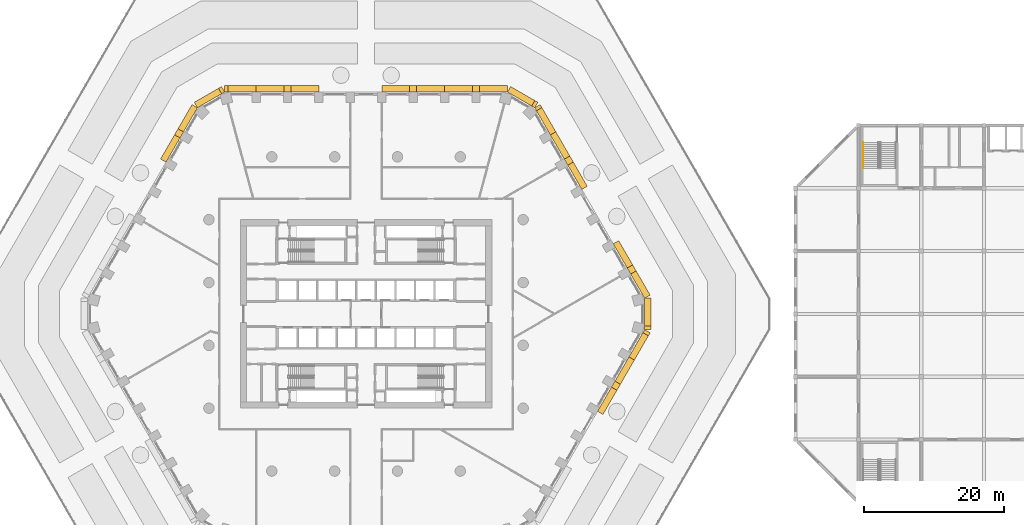
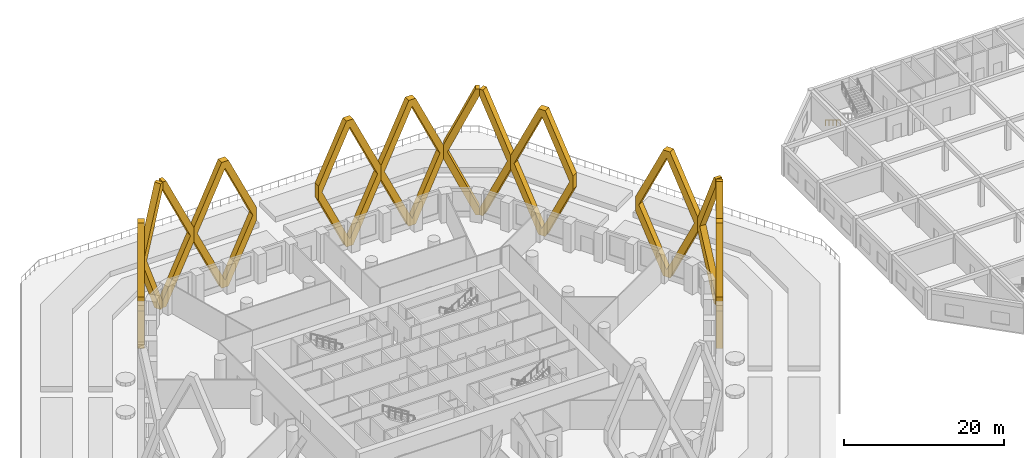
# One storey, part 24 of 27: 13 coverings, 1 railing.
"""IFC4 building model written with IfcOpenShell, lengths in metres."""

from ifc_helpers import new_model, si_unit, direction, frame, origin, origin_2d, place, context, subcontext, project, spatial, polyline, circle, outline, extrude, material, type_object, element, save


model = new_model("IFC4")

# Units and contexts
model_context = context("Model", 3, precision=1e-05, world=origin(), true_north=direction((0.0, 1.0)))
body_context = subcontext(model_context, "Body", "Model", "MODEL_VIEW")
ifc_project = project(units=[si_unit("LENGTHUNIT", "METRE"), si_unit("AREAUNIT", "SQUARE_METRE"), si_unit("VOLUMEUNIT", "CUBIC_METRE"), si_unit("PLANEANGLEUNIT", "RADIAN"), si_unit("MASSUNIT", "GRAM", prefix="KILO")], contexts=[model_context])

# Site, building, storey
site_placement = place(None, origin())
site = spatial("IfcSite", under=ifc_project, at=site_placement, CompositionType="ELEMENT")
building_placement = place(site_placement, origin())
building = spatial("IfcBuilding", under=site, at=building_placement, Name="Dhurran Vertical Campus", CompositionType="ELEMENT")
storey_placement = place(building_placement, frame((0.0, 0.0, 10.800048828125)))
storey = spatial("IfcBuildingStorey", under=building, at=storey_placement, Name="L02", CompositionType="ELEMENT", Elevation=10.800048828125)

# Coverings
ifc_material_1 = material(Name="Precast concrete C50/60", Category="concrete")
covering_type = type_object("IfcCoveringType", Name="Folded precast fin lattice diamond", PredefinedType="USERDEFINED", material=ifc_material_1)
covering_1_placement = place(storey_placement, frame((33.147216796875, -13.94140625, 0.0), z_axis=(0.866013897511, -0.50001992892, 0.0), x_axis=(0.50001992892, 0.866013897511, 0.0)))
element("IfcCovering", 1, at=covering_1_placement, inside=storey, type_object=covering_type, Name="FN1 L02.007", ObjectType="FIN", PredefinedType="USERDEFINED", context=body_context, shape_type="SweptSolid", body=[
    extrude(outline(polyline([(9.0, 10.66015625), (9.0, 8.539794921875), (4.9970703125, 0.0), (4.0029296875, 0.0), (0.0, 8.539794921875), (0.0, 10.66015625), (4.0029296875, 19.199951171875), (4.9970703125, 19.199951171875), (9.0, 10.66015625)]), holes=[polyline([(8.5029296875, 9.60009765625), (4.5, 18.139892578125), (0.4970703125, 9.60009765625), (4.5, 1.060302734375), (8.5029296875, 9.60009765625)])]), origin(), (0.0, 0.0, 1.0), 0.89990234375),
])
covering_2_placement = place(storey_placement, frame((37.647216796875, -6.147216796875, 0.0), z_axis=(0.866013897511, -0.50001992892, 0.0), x_axis=(0.50001992892, 0.866013897511, 0.0)))
element("IfcCovering", 2, at=covering_2_placement, inside=storey, type_object=covering_type, Name="FN1 L02.008", ObjectType="FIN", PredefinedType="USERDEFINED", context=body_context, shape_type="SweptSolid", body=[
    extrude(outline(polyline([(4.0029296875, 0.0), (0.0, 8.539794921875), (0.0, 10.66015625), (4.0029296875, 19.199951171875), (4.5, 19.199951171875), (4.5, 18.139892578125), (0.4970703125, 9.60009765625), (4.5, 1.060302734375), (4.5, 0.0), (4.0029296875, 0.0)])), origin(), (0.0, 0.0, 1.0), 0.89990234375),
])
covering_3_placement = place(storey_placement, frame((39.897216796875, -2.25, 0.0), z_axis=(1.0, 0.0, 0.0), x_axis=(0.0, 1.0, 0.0)))
element("IfcCovering", 3, at=covering_3_placement, inside=storey, type_object=covering_type, Name="FN1 L02.009", ObjectType="FIN", PredefinedType="USERDEFINED", context=body_context, shape_type="SweptSolid", body=[
    extrude(outline(polyline([(4.5, 8.539794921875), (0.4970703125, 0.0), (0.0, 0.0), (0.0, 1.060302734375), (4.0029296875, 9.60009765625), (0.0, 18.139892578125), (0.0, 19.199951171875), (0.4970703125, 19.199951171875), (4.5, 10.66015625), (4.5, 8.539794921875)])), origin(), (0.0, 0.0, 1.0), 0.89990234375),
])
for number, where, z_axis, x_axis, name in (
    (4, (39.897216796875, 2.25, 0.0), (0.866013897511, 0.50001992892, 0.0), (-0.50001992892, 0.866013897511, 0.0), "FN1 L02.010"),
    (5, (30.897216796875, 17.83837890625, 0.0), (0.865896406789, 0.500223362819, 0.0), (-0.500223362819, 0.865896406789, 0.0), "FN1 L02.011"),
):
    element("IfcCovering", number, at=place(storey_placement, frame(where, z_axis=z_axis, x_axis=x_axis)), inside=storey, type_object=covering_type, Name=name, ObjectType="FIN", PredefinedType="USERDEFINED", context=body_context, shape_type="SweptSolid", body=[
        extrude(outline(polyline([(9.0, 10.66015625), (9.0, 8.539794921875), (4.9970703125, 0.0), (4.0029296875, 0.0), (0.0, 8.539794921875), (0.0, 10.66015625), (4.0029296875, 19.199951171875), (4.9970703125, 19.199951171875), (9.0, 10.66015625)]), holes=[polyline([(8.5029296875, 9.60009765625), (4.5, 18.139892578125), (0.4970703125, 9.60009765625), (4.5, 1.060302734375), (8.5029296875, 9.60009765625)])]), origin(), (0.0, 0.0, 1.0), 0.89990234375),
    ])
covering_4_placement = place(storey_placement, frame((26.397216796875, 25.6328125, 0.0), z_axis=(0.866013897511, 0.50001992892, 0.0), x_axis=(-0.50001992892, 0.866013897511, 0.0)))
element("IfcCovering", 6, at=covering_4_placement, inside=storey, type_object=covering_type, Name="FN1 L02.012", ObjectType="FIN", PredefinedType="USERDEFINED", context=body_context, shape_type="SweptSolid", body=[
    extrude(outline(polyline([(4.0029296875, 0.0), (0.0, 8.539794921875), (0.0, 10.66015625), (4.0029296875, 19.199951171875), (4.5, 19.199951171875), (4.5, 18.139892578125), (0.4970703125, 9.60009765625), (4.5, 1.060302734375), (4.5, 0.0), (4.0029296875, 0.0)])), origin(), (0.0, 0.0, 1.0), 0.89990234375),
])
covering_5_placement = place(storey_placement, frame((24.147216796875, 29.52978515625, 0.0), z_axis=(0.50001992892, 0.866013897511, 0.0), x_axis=(-0.866013897511, 0.50001992892, 0.0)))
element("IfcCovering", 7, at=covering_5_placement, inside=storey, type_object=covering_type, Name="FN1 L02.013", ObjectType="FIN", PredefinedType="USERDEFINED", context=body_context, shape_type="SweptSolid", body=[
    extrude(outline(polyline([(4.5, 8.539794921875), (0.4970703125, 0.0), (0.0, 0.0), (0.0, 1.060302734375), (4.0029296875, 9.60009765625), (0.0, 18.139892578125), (0.0, 19.199951171875), (0.4970703125, 19.199951171875), (4.5, 10.66015625), (4.5, 8.539794921875)])), origin(), (0.0, 0.0, 1.0), 0.89990234375),
])
for number, where, z_axis, x_axis, name in (
    (8, (20.25, 31.77978515625, 0.0), (0.0, 1.0, 0.0), (-1.0, 0.0, 0.0), "FN1 L02.014"),
    (9, (11.25, 31.77978515625, 0.0), (0.0, 1.0, 0.0), (-1.0, 0.0, 0.0), "FN1 L02.015"),
    (10, (-6.75, 31.77978515625, 0.0), (0.0, 1.0, 0.0), (-1.0, 0.0, 0.0), "FN1 L02.016"),
):
    element("IfcCovering", number, at=place(storey_placement, frame(where, z_axis=z_axis, x_axis=x_axis)), inside=storey, type_object=covering_type, Name=name, ObjectType="FIN", PredefinedType="USERDEFINED", context=body_context, shape_type="SweptSolid", body=[
        extrude(outline(polyline([(9.0, 10.66015625), (9.0, 8.539794921875), (4.9970703125, 0.0), (4.0029296875, 0.0), (0.0, 8.539794921875), (0.0, 10.66015625), (4.0029296875, 19.199951171875), (4.9970703125, 19.199951171875), (9.0, 10.66015625)]), holes=[polyline([(8.5029296875, 9.60009765625), (4.5, 18.139892578125), (0.4970703125, 9.60009765625), (4.5, 1.060302734375), (8.5029296875, 9.60009765625)])]), origin(), (0.0, 0.0, 1.0), 0.89990234375),
    ])
covering_6_placement = place(storey_placement, frame((-15.75, 31.77978515625, 0.0), z_axis=(0.0, 1.0, 0.0), x_axis=(-1.0, 0.0, 0.0)))
element("IfcCovering", 11, at=covering_6_placement, inside=storey, type_object=covering_type, Name="FN1 L02.017", ObjectType="FIN", PredefinedType="USERDEFINED", context=body_context, shape_type="SweptSolid", body=[
    extrude(outline(polyline([(4.0029296875, 0.0), (0.0, 8.539794921875), (0.0, 10.66015625), (4.0029296875, 19.199951171875), (4.5, 19.199951171875), (4.5, 18.139892578125), (0.4970703125, 9.60009765625), (4.5, 1.060302734375), (4.5, 0.0), (4.0029296875, 0.0)])), origin(), (0.0, 0.0, 1.0), 0.89990234375),
])
covering_7_placement = place(storey_placement, frame((-20.25, 31.77978515625, 0.0), z_axis=(-0.50001992892, 0.866013897511, 0.0), x_axis=(-0.866013897511, -0.50001992892, 0.0)))
element("IfcCovering", 12, at=covering_7_placement, inside=storey, type_object=covering_type, Name="FN1 L02.018", ObjectType="FIN", PredefinedType="USERDEFINED", context=body_context, shape_type="SweptSolid", body=[
    extrude(outline(polyline([(4.5, 8.539794921875), (0.4970703125, 0.0), (0.0, 0.0), (0.0, 1.060302734375), (4.0029296875, 9.60009765625), (0.0, 18.139892578125), (0.0, 19.199951171875), (0.4970703125, 19.199951171875), (4.5, 10.66015625), (4.5, 8.539794921875)])), origin(), (0.0, 0.0, 1.0), 0.89990234375),
])
covering_8_placement = place(storey_placement, frame((-24.147216796875, 29.52978515625, 0.0), z_axis=(-0.866013897511, 0.50001992892, 0.0), x_axis=(-0.50001992892, -0.866013897511, 0.0)))
element("IfcCovering", 13, at=covering_8_placement, inside=storey, type_object=covering_type, Name="FN1 L02.019", ObjectType="FIN", PredefinedType="USERDEFINED", context=body_context, shape_type="SweptSolid", body=[
    extrude(outline(polyline([(9.0, 10.66015625), (9.0, 8.539794921875), (4.9970703125, 0.0), (4.0029296875, 0.0), (0.0, 8.539794921875), (0.0, 10.66015625), (4.0029296875, 19.199951171875), (4.9970703125, 19.199951171875), (9.0, 10.66015625)]), holes=[polyline([(8.5029296875, 9.60009765625), (4.5, 18.139892578125), (0.4970703125, 9.60009765625), (4.5, 1.060302734375), (8.5029296875, 9.60009765625)])]), origin(), (0.0, 0.0, 1.0), 0.89990234375),
])

# Railing
ifc_material_2 = material(Name="Steel S355J2H", Category="steel")
railing_type = type_object("IfcRailingType", Name="hl-stair handrail", PredefinedType="HANDRAIL", material=ifc_material_2)
railing_placement = place(storey_placement, frame((71.199951171875, 24.550048828125, 0.17138671875)))
element("IfcRailing", 14, at=railing_placement, inside=storey, type_object=railing_type, Name="L02 HST3 stair handrail 1", PredefinedType="HANDRAIL", context=body_context, shape_type="SweptSolid", body=[
    extrude(circle(Radius=0.02392578125, at=origin_2d()), frame((0.0, 0.0, 0.8759765625), z_axis=(0.0, -0.85613627591, 0.516750110858), x_axis=(1.0, 0.0, 0.0)), (0.0, 0.0, 1.0), 4.3125),
    extrude(circle(Radius=0.02099609375, at=origin_2d()), origin(), (0.0, 0.0, 1.0), 0.851806640625),
    extrude(circle(Radius=0.02099609375, at=origin_2d()), frame((0.0, -0.923095703125, 0.55712890625)), (0.0, 0.0, 1.0), 0.851806640625),
    extrude(circle(Radius=0.02099609375, at=origin_2d()), frame((0.0, -1.84619140625, 1.1142578125)), (0.0, 0.0, 1.0), 0.851806640625),
    extrude(circle(Radius=0.02099609375, at=origin_2d()), frame((0.0, -2.76904296875, 1.67138671875)), (0.0, 0.0, 1.0), 0.851806640625),
    extrude(circle(Radius=0.02099609375, at=origin_2d()), frame((0.0, -3.692138671875, 2.228515625)), (0.0, 0.0, 1.0), 0.851806640625),
])

save(model, "model.ifc")
